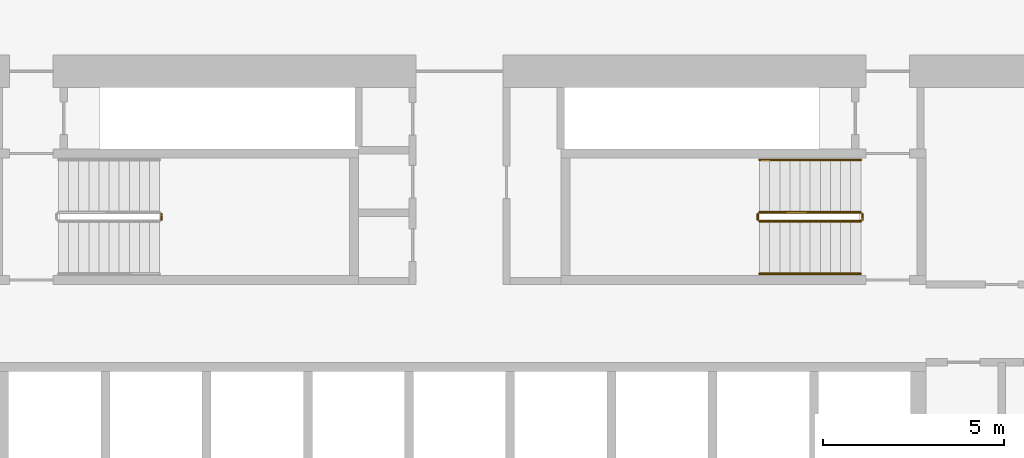
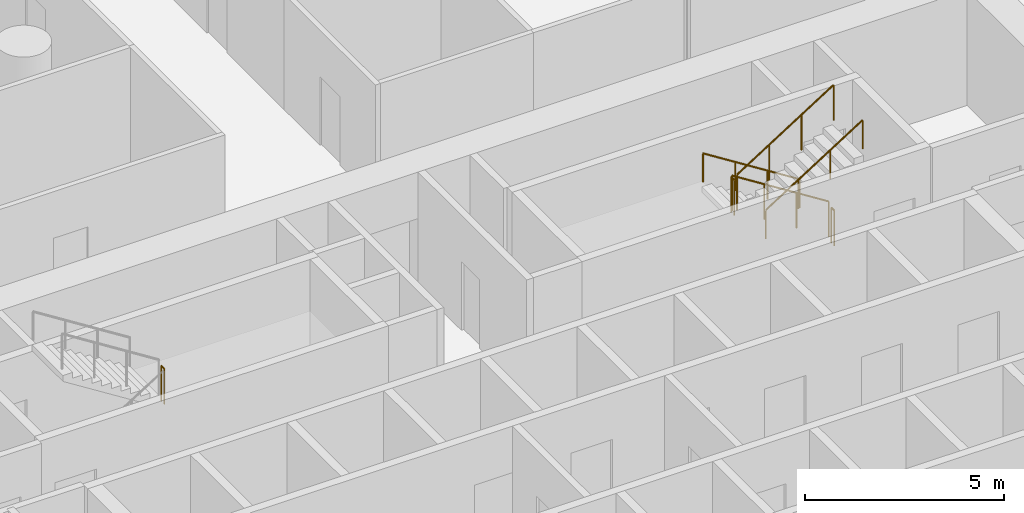
# One storey, part 17 of 18: 7 railings.
"""IFC4 building model written with IfcOpenShell, lengths in metres."""

from ifc_helpers import new_model, si_unit, direction, frame, origin, origin_2d, place, context, subcontext, project, spatial, circle, extrude, material, type_object, element, save


model = new_model("IFC4")

# Units and contexts
model_context = context("Model", 3, precision=1e-05, world=origin(), true_north=direction((0.0, 1.0)))
body_context = subcontext(model_context, "Body", "Model", "MODEL_VIEW")
ifc_project = project(units=[si_unit("LENGTHUNIT", "METRE"), si_unit("AREAUNIT", "SQUARE_METRE"), si_unit("VOLUMEUNIT", "CUBIC_METRE"), si_unit("PLANEANGLEUNIT", "RADIAN"), si_unit("MASSUNIT", "GRAM", prefix="KILO")], contexts=[model_context])

# Site, building, storey
site_placement = place(None, origin())
site = spatial("IfcSite", under=ifc_project, at=site_placement, CompositionType="ELEMENT")
building_placement = place(site_placement, origin())
building = spatial("IfcBuilding", under=site, at=building_placement, Name="Dhurran Vertical Campus", CompositionType="ELEMENT")
storey_placement = place(building_placement, frame((0.0, 0.0, 53.39990234375)))
storey = spatial("IfcBuildingStorey", under=building, at=storey_placement, Name="L12", CompositionType="ELEMENT", Elevation=53.39990234375)

# Railings
ifc_material_1 = material(Name="Stainless steel balustrade", Category="steel")
railing_type_1 = type_object("IfcRailingType", Name="co-RL-GUARD-1100", PredefinedType="GUARDRAIL", material=ifc_material_1)
railing_1_placement = place(storey_placement, frame((-8.25, 8.949951171875, 1.9501953125)))
element("IfcRailing", 1, at=railing_1_placement, inside=storey, type_object=railing_type_1, Name="L12 ST1 stair guard 2", PredefinedType="GUARDRAIL", context=body_context, shape_type="SweptSolid", body=[
    extrude(circle(Radius=0.02392578125, at=origin_2d()), frame((0.0, 0.0, 1.076171875), z_axis=(0.0, 1.0, 0.0), x_axis=(-1.0, 0.0, 0.0)), (0.0, 0.0, 1.0), 0.150146484375),
    extrude(circle(Radius=0.02099609375, at=origin_2d()), origin(), (0.0, 0.0, 1.0), 1.052001953125),
    extrude(circle(Radius=0.02099609375, at=origin_2d()), frame((0.0, 0.150146484375, 0.0)), (0.0, 0.0, 1.0), 1.052001953125),
])
railing_2_placement = place(storey_placement, frame((11.10009765625, 9.14990234375, 0.177490234375)))
element("IfcRailing", 2, at=railing_2_placement, inside=storey, type_object=railing_type_1, Name="L12 ST2 stair guard 1", PredefinedType="GUARDRAIL", context=body_context, shape_type="SweptSolid", body=[
    extrude(circle(Radius=0.02392578125, at=origin_2d()), frame((0.0, 0.0, 1.076171875), z_axis=(-0.844908973607, 0.0, 0.534910110503), x_axis=(0.0, -1.0, 0.0)), (0.0, 0.0, 1.0), 3.31396484375),
    extrude(circle(Radius=0.02099609375, at=origin_2d()), origin(), (0.0, 0.0, 1.0), 1.052001953125),
    extrude(circle(Radius=0.02099609375, at=origin_2d()), frame((-0.933349609375, 0.0, 0.5908203125)), (0.0, 0.0, 1.0), 1.052001953125),
    extrude(circle(Radius=0.02099609375, at=origin_2d()), frame((-1.86669921875, 0.0, 1.181884765625)), (0.0, 0.0, 1.0), 1.052001953125),
    extrude(circle(Radius=0.02099609375, at=origin_2d()), frame((-2.800048828125, 0.0, 1.772705078125)), (0.0, 0.0, 1.0), 1.052001953125),
])
railing_3_placement = place(storey_placement, frame((8.25, 9.10009765625, 1.9501953125)))
element("IfcRailing", 3, at=railing_3_placement, inside=storey, type_object=railing_type_1, Name="L12 ST2 stair guard 2", PredefinedType="GUARDRAIL", context=body_context, shape_type="SweptSolid", body=[
    extrude(circle(Radius=0.02392578125, at=origin_2d()), frame((0.0, 0.0, 1.076171875), z_axis=(0.0, -1.0, 0.0), x_axis=(1.0, 0.0, 0.0)), (0.0, 0.0, 1.0), 0.150146484375),
    extrude(circle(Radius=0.02099609375, at=origin_2d()), origin(), (0.0, 0.0, 1.0), 1.052001953125),
    extrude(circle(Radius=0.02099609375, at=origin_2d()), frame((0.0, -0.150146484375, 0.0)), (0.0, 0.0, 1.0), 1.052001953125),
])
railing_4_placement = place(storey_placement, frame((8.300048828125, 8.89990234375, 2.12744140625)))
element("IfcRailing", 4, at=railing_4_placement, inside=storey, type_object=railing_type_1, Name="L12 ST2 stair guard 3", PredefinedType="GUARDRAIL", context=body_context, shape_type="SweptSolid", body=[
    extrude(circle(Radius=0.02392578125, at=origin_2d()), frame((0.0, 0.0, 1.076171875), z_axis=(0.844908973607, 0.0, 0.534910110503), x_axis=(0.0, 1.0, 0.0)), (0.0, 0.0, 1.0), 3.31396484375),
    extrude(circle(Radius=0.02099609375, at=origin_2d()), origin(), (0.0, 0.0, 1.0), 1.052001953125),
    extrude(circle(Radius=0.02099609375, at=origin_2d()), frame((0.933349609375, 0.0, 0.5908203125)), (0.0, 0.0, 1.0), 1.052001953125),
    extrude(circle(Radius=0.02099609375, at=origin_2d()), frame((1.86669921875, 0.0, 1.181884765625)), (0.0, 0.0, 1.0), 1.052001953125),
    extrude(circle(Radius=0.02099609375, at=origin_2d()), frame((2.800048828125, 0.0, 1.772705078125)), (0.0, 0.0, 1.0), 1.052001953125),
])
railing_5_placement = place(storey_placement, frame((11.14990234375, 9.10009765625, 0.0)))
element("IfcRailing", 5, at=railing_5_placement, inside=storey, type_object=railing_type_1, Name="L12 ST2 stair guard 4", PredefinedType="GUARDRAIL", context=body_context, shape_type="SweptSolid", body=[
    extrude(circle(Radius=0.02392578125, at=origin_2d()), frame((0.0, 0.0, 1.076171875), z_axis=(0.0, -1.0, 0.0), x_axis=(1.0, 0.0, 0.0)), (0.0, 0.0, 1.0), 0.150146484375),
    extrude(circle(Radius=0.02099609375, at=origin_2d()), origin(), (0.0, 0.0, 1.0), 1.052001953125),
    extrude(circle(Radius=0.02099609375, at=origin_2d()), frame((0.0, -0.150146484375, 0.0)), (0.0, 0.0, 1.0), 1.052001953125),
])
ifc_material_2 = material(Name="Stainless steel handrail", Category="steel")
railing_type_2 = type_object("IfcRailingType", Name="co-RL-HANDRAIL-900", PredefinedType="HANDRAIL", material=ifc_material_2)
railing_6_placement = place(storey_placement, frame((11.10009765625, 10.60009765625, 0.177490234375)))
element("IfcRailing", 6, at=railing_6_placement, inside=storey, type_object=railing_type_2, Name="L12 ST2 stair handrail 1", PredefinedType="HANDRAIL", context=body_context, shape_type="SweptSolid", body=[
    extrude(circle(Radius=0.02392578125, at=origin_2d()), frame((0.0, 0.0, 0.8759765625), z_axis=(-0.844908973607, 0.0, 0.534910110503), x_axis=(0.0, -1.0, 0.0)), (0.0, 0.0, 1.0), 3.31396484375),
    extrude(circle(Radius=0.02099609375, at=origin_2d()), origin(), (0.0, 0.0, 1.0), 0.851806640625),
    extrude(circle(Radius=0.02099609375, at=origin_2d()), frame((-0.933349609375, 0.0, 0.5908203125)), (0.0, 0.0, 1.0), 0.851806640625),
    extrude(circle(Radius=0.02099609375, at=origin_2d()), frame((-1.86669921875, 0.0, 1.181884765625)), (0.0, 0.0, 1.0), 0.851806640625),
    extrude(circle(Radius=0.02099609375, at=origin_2d()), frame((-2.800048828125, 0.0, 1.772705078125)), (0.0, 0.0, 1.0), 0.851806640625),
])
railing_7_placement = place(storey_placement, frame((8.300048828125, 7.449951171875, 2.12744140625)))
element("IfcRailing", 7, at=railing_7_placement, inside=storey, type_object=railing_type_2, Name="L12 ST2 stair handrail 2", PredefinedType="HANDRAIL", context=body_context, shape_type="SweptSolid", body=[
    extrude(circle(Radius=0.02392578125, at=origin_2d()), frame((0.0, 0.0, 0.8759765625), z_axis=(0.844908973607, 0.0, 0.534910110503), x_axis=(0.0, 1.0, 0.0)), (0.0, 0.0, 1.0), 3.31396484375),
    extrude(circle(Radius=0.02099609375, at=origin_2d()), origin(), (0.0, 0.0, 1.0), 0.851806640625),
    extrude(circle(Radius=0.02099609375, at=origin_2d()), frame((0.933349609375, 0.0, 0.5908203125)), (0.0, 0.0, 1.0), 0.851806640625),
    extrude(circle(Radius=0.02099609375, at=origin_2d()), frame((1.86669921875, 0.0, 1.181884765625)), (0.0, 0.0, 1.0), 0.851806640625),
    extrude(circle(Radius=0.02099609375, at=origin_2d()), frame((2.800048828125, 0.0, 1.772705078125)), (0.0, 0.0, 1.0), 0.851806640625),
])

save(model, "model.ifc")
